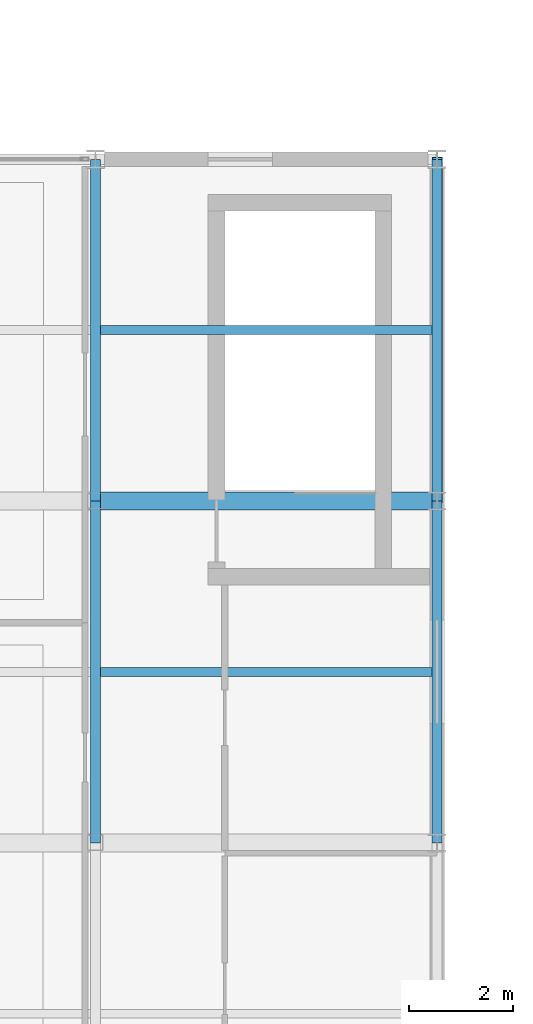
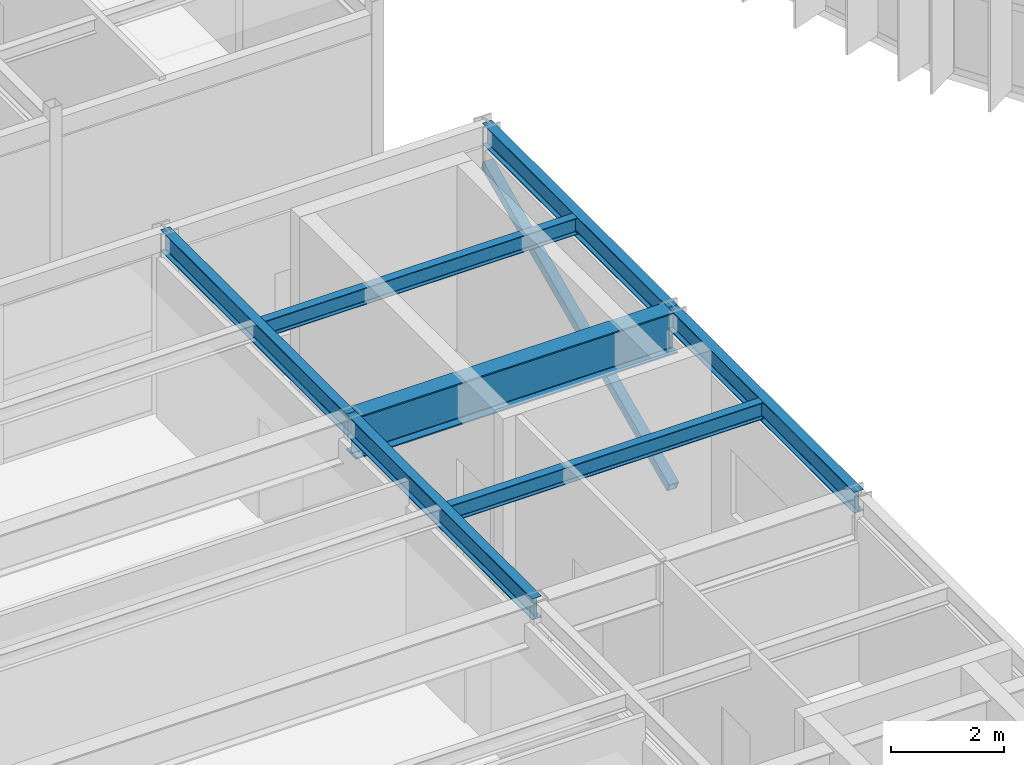
# One storey, part 22 of 147: 7 beams, 1 member.
"""IFC4 building model written with IfcOpenShell, lengths in metres."""

import ifcopenshell
import ifcopenshell.guid

model = None  # the IFC model being written
_history = None  # IfcOwnerHistory: only IFC2X3 demands one
_inside = {}  # id of a spatial element -> (the spatial element, [elements in it])
_under = {}  # id of a project, library or spatial element -> (it, [spatial elements below it])
_declared = {}  # id of a project -> (the project, [libraries it declares])
_typed = {}  # id of a type object -> (the type object, [elements of that type])
_made_of = {}  # id of a material, layer set ... -> (it, [elements and type objects made of it])


def new_model(schema):
    """Start an empty IFC model of exactly this schema.

    Asked for "IFC4X3", IfcOpenShell would pick the latest addendum, in which some entities
    have other attributes; the version numbers below select the first issue.
    IFC2X3 requires an IfcOwnerHistory on every rooted entity: one is made here for all.
    """
    global model, _history
    if schema == "IFC4X3":
        model = ifcopenshell.file(schema_version=(4, 3, 0, 0))
    else:
        model = ifcopenshell.file(schema=schema)
    _inside.clear()
    _under.clear()
    _declared.clear()
    _typed.clear()
    _made_of.clear()
    _history = None
    if model.schema == "IFC2X3":
        org = make("IfcOrganization", Name="unknown")
        user = make(
            "IfcPersonAndOrganization",
            ThePerson=make("IfcPerson", FamilyName="unknown"),
            TheOrganization=org,
        )
        app = make(
            "IfcApplication",
            ApplicationDeveloper=org,
            Version="unknown",
            ApplicationFullName="unknown",
            ApplicationIdentifier="unknown",
        )
        _history = make(
            "IfcOwnerHistory",
            OwningUser=user,
            OwningApplication=app,
            ChangeAction="ADDED",
            CreationDate=0,
        )
    return model


def make(cls, **values):
    """One entity of the class cls with the attributes given. An attribute that is None is left unset."""
    return model.create_entity(
        cls, **{name: value for name, value in values.items() if value is not None}
    )


def rooted(cls, **values):
    """An entity with a GlobalId (a new one), such as an element, a storey or a relation."""
    return make(cls, GlobalId=ifcopenshell.guid.new(), OwnerHistory=_history, **values)


def si_unit(unit_type, name, prefix=None):
    """IfcSIUnit, for example si_unit("LENGTHUNIT", "METRE", prefix="MILLI")."""
    return make("IfcSIUnit", UnitType=unit_type, Prefix=prefix, Name=name)


def assignment(units):
    """IfcUnitAssignment: the units of a project."""
    return None if units is None else make("IfcUnitAssignment", Units=units)


def point(xyz):
    """IfcCartesianPoint."""
    return None if xyz is None else make("IfcCartesianPoint", Coordinates=xyz)


def direction(xyz):
    """IfcDirection."""
    return None if xyz is None else make("IfcDirection", DirectionRatios=xyz)


def frame(location, z_axis=None, x_axis=None):
    """IfcAxis2Placement3D, a coordinate frame: its origin and axes. An axis left out is left unset."""
    return make(
        "IfcAxis2Placement3D",
        Location=point(location),
        Axis=direction(z_axis),
        RefDirection=direction(x_axis),
    )


def frame_2d(location, x_axis=None):
    """IfcAxis2Placement2D, a coordinate frame in the plane: its origin and x axis."""
    return make(
        "IfcAxis2Placement2D", Location=point(location), RefDirection=direction(x_axis)
    )


def origin():
    """The frame at (0, 0, 0) with its axes left unset."""
    return frame((0.0, 0.0, 0.0))


def origin_2d():
    """The frame at (0, 0) in the plane with its x axis left unset."""
    return frame_2d((0.0, 0.0))


def place(relative_to, where):
    """IfcLocalPlacement: puts the frame where relative to a parent placement (None: the world)."""
    return make(
        "IfcLocalPlacement", PlacementRelTo=relative_to, RelativePlacement=where
    )


def context(
    kind, dimensions, precision=None, world=None, true_north=None, identifier=None
):
    """IfcGeometricRepresentationContext, for example the 3D "Model" context."""
    return make(
        "IfcGeometricRepresentationContext",
        ContextIdentifier=identifier,
        ContextType=kind,
        CoordinateSpaceDimension=dimensions,
        Precision=precision,
        WorldCoordinateSystem=world,
        TrueNorth=true_north,
    )


def subcontext(parent, identifier, kind, view, scale=None):
    """IfcGeometricRepresentationSubContext, for example "Body" below "Model"."""
    return make(
        "IfcGeometricRepresentationSubContext",
        ContextIdentifier=identifier,
        ContextType=kind,
        ParentContext=parent,
        TargetScale=scale,
        TargetView=view,
    )


def project(units=None, contexts=None):
    """IfcProject with its units and contexts."""
    return rooted(
        "IfcProject",
        Name="project",
        RepresentationContexts=contexts,
        UnitsInContext=assignment(units),
    )


def spatial(cls, under=None, at=None, **own):
    """A site, building, storey or space (cls), placed at a placement, below another one or the project."""
    s = rooted(cls, ObjectPlacement=at, **own)
    if under is not None:
        _under.setdefault(under.id(), (under, []))[1].append(s)
    return s


def profile(cls, at=None, kind="AREA", **sizes):
    """A parametric profile (cls). Its sizes go by their IFC names, for example OverallWidth=200.0."""
    return make(cls, ProfileType=kind, Position=at, **sizes)


def hollow_rectangle(**sizes):
    """IfcRectangleHollowProfileDef."""
    return profile("IfcRectangleHollowProfileDef", **sizes)


def i_section(**sizes):
    """IfcIShapeProfileDef."""
    return profile("IfcIShapeProfileDef", **sizes)


def extrude(swept, where, along, depth):
    """IfcExtrudedAreaSolid: the profile swept, set in the frame where, extruded along a direction by depth."""
    return make(
        "IfcExtrudedAreaSolid",
        SweptArea=swept,
        Position=where,
        ExtrudedDirection=direction(along),
        Depth=depth,
    )


def shape(context_of_items, identifier, shape_type, items):
    """IfcShapeRepresentation: the items that make up one representation, for example the "Body"."""
    return make(
        "IfcShapeRepresentation",
        ContextOfItems=context_of_items,
        RepresentationIdentifier=identifier,
        RepresentationType=shape_type,
        Items=items,
    )


def material(Name=None, Category=None):
    """IfcMaterial."""
    return make("IfcMaterial", Name=Name, Category=Category)


def material_profile(
    of_material, cross_section, Name=None, Category=None, Priority=None
):
    """IfcMaterialProfile: a cross section and its material."""
    return make(
        "IfcMaterialProfile",
        Name=Name,
        Material=of_material,
        Profile=cross_section,
        Priority=Priority,
        Category=Category,
    )


def profile_set(profiles, Name=None, composite=None):
    """IfcMaterialProfileSet."""
    return make(
        "IfcMaterialProfileSet",
        Name=Name,
        MaterialProfiles=profiles,
        CompositeProfile=composite,
    )


def made_of(thing, what):
    """Note that an element or type object is made of a material, layer set ...; save() writes the relation."""
    if what is not None:
        _made_of.setdefault(what.id(), (what, []))[1].append(thing)
    return thing


def type_object(cls, material=None, **own):
    """A type object (cls), such as IfcWallType, which elements share."""
    return made_of(rooted(cls, **own), material)


def element(
    cls,
    number,
    at=None,
    inside=None,
    cuts=None,
    type_object=None,
    material=None,
    context=None,
    identifier="Body",
    shape_type=None,
    held_by="IfcProductDefinitionShape",
    body=None,
    shapes=None,
    **own,
):
    """One element of the class cls, such as IfcWall. Its Tag is "e" and its number.

    at: its placement. inside: the storey or other place that contains it. cuts: it is an
    opening in that element (IfcRelVoidsElement). A single representation is given by context,
    identifier, shape_type and body (its items); several are given by shapes. held_by: the class
    of the entity that holds the representations. save() writes the other relations.
    """
    e = rooted(cls, Tag="e%d" % number, ObjectPlacement=at, **own)
    if body is not None:
        shapes = [shape(context, identifier, shape_type, body)]
    if shapes is not None:
        e.Representation = make(held_by, Representations=shapes)
    if inside is not None:
        _inside.setdefault(inside.id(), (inside, []))[1].append(e)
    if cuts is not None:
        rooted(
            "IfcRelVoidsElement", RelatingBuildingElement=cuts, RelatedOpeningElement=e
        )
    if type_object is not None:
        _typed.setdefault(type_object.id(), (type_object, []))[1].append(e)
    return made_of(e, material)


def aggregate(whole, parts):
    """IfcRelAggregates: a whole, such as a stair, and the parts it consists of."""
    return rooted("IfcRelAggregates", RelatingObject=whole, RelatedObjects=parts)


def save(model, path):
    """Write the relations noted so far, then the file.

    IfcRelAggregates (storeys below a building ...), IfcRelContainedInSpatialStructure (elements
    in a storey), IfcRelDefinesByType, IfcRelAssociatesMaterial and IfcRelDeclares: one each for
    every whole, place, type object, material and project.
    """
    for whole, parts in _under.values():
        aggregate(whole, parts)
    for where, things in _inside.values():
        rooted(
            "IfcRelContainedInSpatialStructure",
            RelatedElements=things,
            RelatingStructure=where,
        )
    for kind, things in _typed.values():
        rooted("IfcRelDefinesByType", RelatedObjects=things, RelatingType=kind)
    for what, things in _made_of.values():
        rooted("IfcRelAssociatesMaterial", RelatedObjects=things, RelatingMaterial=what)
    for by, libraries in _declared.values():
        rooted("IfcRelDeclares", RelatingContext=by, RelatedDefinitions=libraries)
    model.write(path)


model = new_model("IFC4")

# Units and contexts
model_context = context("Model", 3, precision=1e-05, world=origin(), true_north=direction((0.0, 1.0)))
body_context = subcontext(model_context, "Body", "Model", "MODEL_VIEW")
ifc_project = project(units=[si_unit("LENGTHUNIT", "METRE"), si_unit("AREAUNIT", "SQUARE_METRE"), si_unit("VOLUMEUNIT", "CUBIC_METRE"), si_unit("PLANEANGLEUNIT", "RADIAN"), si_unit("MASSUNIT", "GRAM", prefix="KILO")], contexts=[model_context])

# Site, building, storey
site_placement = place(None, origin())
site = spatial("IfcSite", under=ifc_project, at=site_placement, CompositionType="ELEMENT")
building_placement = place(site_placement, origin())
building = spatial("IfcBuilding", under=site, at=building_placement, Name="Karori Crest Natural Sciences Institute", CompositionType="ELEMENT")
storey_placement = place(building_placement, frame((0.0, 0.0, 9.10009765625)))
storey = spatial("IfcBuildingStorey", under=building, at=storey_placement, Name="L02", CompositionType="ELEMENT", Elevation=9.10009765625)

# Beams
ifc_material_1 = material(Name="Structural steel AS/NZS 3679.1 Grade 350", Category="steel")
ifc_material_profile_1 = material_profile(ifc_material_1, i_section(OverallWidth=0.35009765625, OverallDepth=0.907958984375, WebThickness=0.01611328125, FlangeThickness=0.028076171875, FilletRadius=0.01611328125, at=origin_2d()), Name="900WB257")
ifc_profile_set_1 = profile_set([ifc_material_profile_1], Name="Structural steel AS/NZS 3679.1 Grade 350")
beam_type_1 = type_object("IfcBeamType", Name="BT-01", PredefinedType="BEAM", material=ifc_profile_set_1)
beam_1_placement = place(storey_placement, frame((20.60009765625, 20.60009765625, 3.4658203125), z_axis=(1.0, 0.0, 0.0), x_axis=(0.0, 1.0, 0.0)))
element("IfcBeam", 1, at=beam_1_placement, inside=storey, type_object=beam_type_1, Name="Beam B-0850", PredefinedType="BEAM", context=body_context, shape_type="SweptSolid", body=[
    extrude(i_section(OverallWidth=0.35009765625, OverallDepth=0.907958984375, WebThickness=0.01611328125, FlangeThickness=0.028076171875, FilletRadius=0.01611328125, at=origin_2d()), origin(), (0.0, 0.0, 1.0), 6.599853515625),
])
ifc_material_profile_2 = material_profile(ifc_material_1, i_section(OverallWidth=0.19091796875, OverallDepth=0.4599609375, WebThickness=0.010009765625, FlangeThickness=0.01611328125, FilletRadius=0.010986328125, at=origin_2d()), Name="460UB82.1")
ifc_profile_set_2 = profile_set([ifc_material_profile_2], Name="Structural steel AS/NZS 3679.1 Grade 350")
beam_type_2 = type_object("IfcBeamType", Name="BT-06", PredefinedType="BEAM", material=ifc_profile_set_2)
beam_2_placement = place(storey_placement, frame((20.60009765625, 14.0, 3.68994140625), z_axis=(0.0, 1.0, 0.0), x_axis=(-1.0, 0.0, 0.0)))
element("IfcBeam", 2, at=beam_2_placement, inside=storey, type_object=beam_type_2, Name="Beam B-0859", PredefinedType="BEAM", context=body_context, shape_type="SweptSolid", body=[
    extrude(i_section(OverallWidth=0.19091796875, OverallDepth=0.4599609375, WebThickness=0.010009765625, FlangeThickness=0.01611328125, FilletRadius=0.010986328125, at=origin_2d()), origin(), (0.0, 0.0, 1.0), 6.60009765625),
])
beam_3_placement = place(storey_placement, frame((20.60009765625, 20.60009765625, 3.68994140625), z_axis=(0.0, 1.0, 0.0), x_axis=(-1.0, 0.0, 0.0)))
element("IfcBeam", 3, at=beam_3_placement, inside=storey, type_object=beam_type_2, Name="Beam B-0860", PredefinedType="BEAM", context=body_context, shape_type="SweptSolid", body=[
    extrude(i_section(OverallWidth=0.19091796875, OverallDepth=0.4599609375, WebThickness=0.010009765625, FlangeThickness=0.01611328125, FilletRadius=0.010986328125, at=origin_2d()), origin(), (0.0, 0.0, 1.0), 6.599853515625),
])
ifc_material_profile_3 = material_profile(ifc_material_1, i_section(OverallWidth=0.19091796875, OverallDepth=0.4599609375, WebThickness=0.010009765625, FlangeThickness=0.01611328125, FilletRadius=0.010986328125, at=origin_2d()), Name="460UB82.1")
ifc_profile_set_3 = profile_set([ifc_material_profile_3], Name="Structural steel AS/NZS 3679.1 Grade 350")
beam_type_3 = type_object("IfcBeamType", Name="BT-06-EL", PredefinedType="BEAM", material=ifc_profile_set_3)
beam_4_placement = place(storey_placement, frame((27.199951171875, 14.0, 3.68994140625), z_axis=(0.0, 1.0, 0.0), x_axis=(-1.0, 0.0, 0.0)))
element("IfcBeam", 4, at=beam_4_placement, inside=storey, type_object=beam_type_3, Name="Beam B-0863", PredefinedType="BEAM", context=body_context, shape_type="SweptSolid", body=[
    extrude(i_section(OverallWidth=0.19091796875, OverallDepth=0.4599609375, WebThickness=0.010009765625, FlangeThickness=0.01611328125, FilletRadius=0.010986328125, at=origin_2d()), origin(), (0.0, 0.0, 1.0), 6.60009765625),
])
beam_5_placement = place(storey_placement, frame((27.199951171875, 20.60009765625, 3.68994140625), z_axis=(0.0, 1.0, 0.0), x_axis=(-1.0, 0.0, 0.0)))
element("IfcBeam", 5, at=beam_5_placement, inside=storey, type_object=beam_type_3, Name="Beam B-0864", PredefinedType="BEAM", context=body_context, shape_type="SweptSolid", body=[
    extrude(i_section(OverallWidth=0.19091796875, OverallDepth=0.4599609375, WebThickness=0.010009765625, FlangeThickness=0.01611328125, FilletRadius=0.010986328125, at=origin_2d()), origin(), (0.0, 0.0, 1.0), 6.599853515625),
])
ifc_material_profile_4 = material_profile(ifc_material_1, i_section(OverallWidth=0.172119140625, OverallDepth=0.35888671875, WebThickness=0.008056640625, FlangeThickness=0.012939453125, FilletRadius=0.010986328125, at=origin_2d()), Name="360UB56.7")
ifc_profile_set_4 = profile_set([ifc_material_profile_4], Name="Structural steel AS/NZS 3679.1 Grade 350")
beam_type_4 = type_object("IfcBeamType", Name="BT-08", PredefinedType="BEAM", material=ifc_profile_set_4)
for number, where, z_axis, x_axis, name in (
    (6, (20.695556640625, 17.300048828125, 3.740478515625), (1.0, 0.0, 0.0), (0.0, 1.0, 0.0), "Beam B-0871"),
    (7, (20.695556640625, 23.89990234375, 3.740478515625), (1.0, 0.0, 0.0), (0.0, 1.0, 0.0), "Beam B-0872"),
):
    element("IfcBeam", number, at=place(storey_placement, frame(where, z_axis=z_axis, x_axis=x_axis)), inside=storey, type_object=beam_type_4, Name=name, PredefinedType="BEAM", context=body_context, shape_type="SweptSolid", body=[
        extrude(i_section(OverallWidth=0.172119140625, OverallDepth=0.35888671875, WebThickness=0.008056640625, FlangeThickness=0.012939453125, FilletRadius=0.010986328125, at=origin_2d()), origin(), (0.0, 0.0, 1.0), 6.408935546875),
    ])

# Member
ifc_material_2 = material(Name="Hollow structural steel AS/NZS 1163 Grade C350", Category="steel")
ifc_material_profile_5 = material_profile(ifc_material_2, hollow_rectangle(XDim=0.199951171875, YDim=0.199951171875, WallThickness=0.010009765625, at=origin_2d()), Name="SHS200x200x10")
ifc_profile_set_5 = profile_set([ifc_material_profile_5], Name="Hollow structural steel AS/NZS 1163 Grade C350")
member_type = type_object("IfcMemberType", Name="MT-04", PredefinedType="BRACE", material=ifc_profile_set_5)
member_placement = place(storey_placement, frame((27.199951171875, 20.60009765625, 0.010009765625), z_axis=(0.0, 0.909740785747, 0.415176712676), x_axis=(-1.0, 0.0, 0.0)))
element("IfcMember", 8, at=member_placement, inside=storey, type_object=member_type, Name="Diagonal Brace M-0248", PredefinedType="BRACE", context=body_context, shape_type="SweptSolid", body=[
    extrude(hollow_rectangle(XDim=0.199951171875, YDim=0.199951171875, WallThickness=0.010009765625, at=origin_2d()), origin(), (0.0, 0.0, 1.0), 7.254638671875),
])

save(model, "model.ifc")
